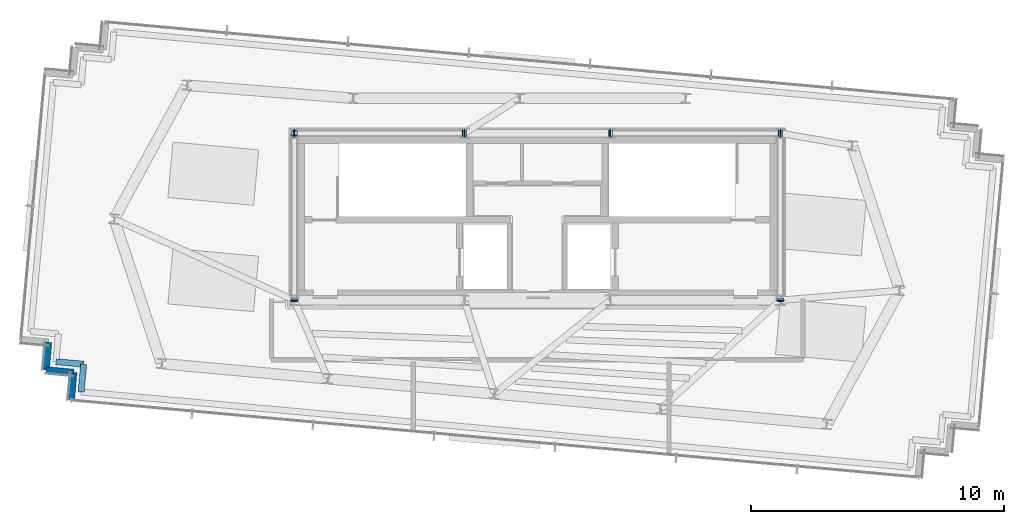
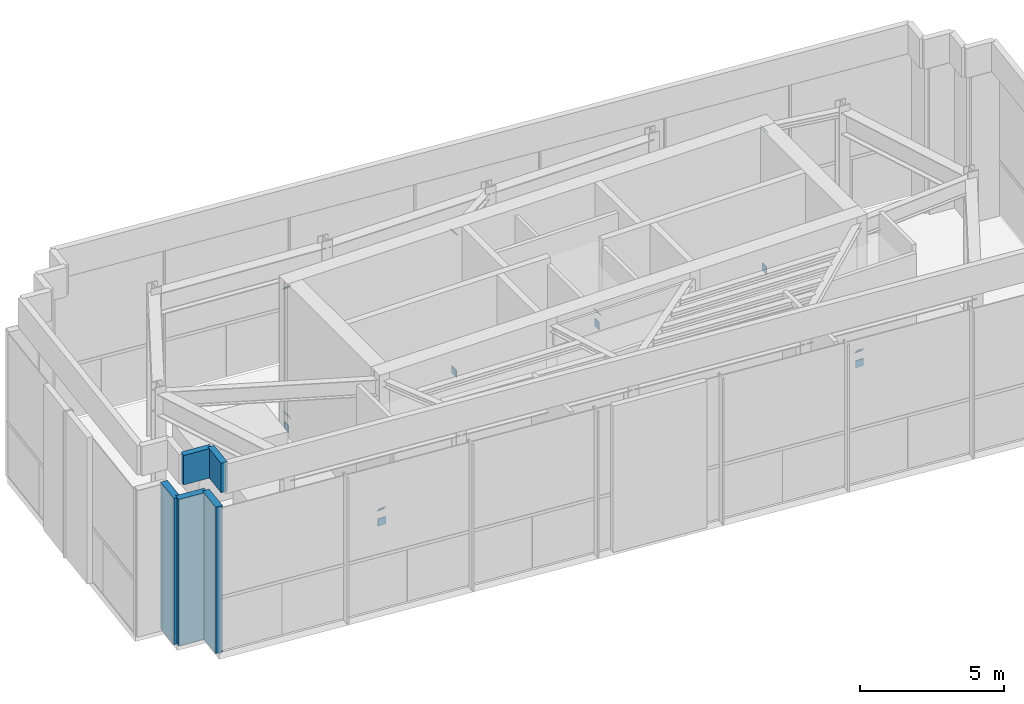
# One storey, part 15 of 18: 13 plates, 5 walls.
"""IFC4 building model written with IfcOpenShell, lengths in metres."""

import ifcopenshell
import ifcopenshell.guid

model = None  # the IFC model being written
_history = None  # IfcOwnerHistory: only IFC2X3 demands one
_inside = {}  # id of a spatial element -> (the spatial element, [elements in it])
_under = {}  # id of a project, library or spatial element -> (it, [spatial elements below it])
_declared = {}  # id of a project -> (the project, [libraries it declares])
_typed = {}  # id of a type object -> (the type object, [elements of that type])
_made_of = {}  # id of a material, layer set ... -> (it, [elements and type objects made of it])


def new_model(schema):
    """Start an empty IFC model of exactly this schema.

    Asked for "IFC4X3", IfcOpenShell would pick the latest addendum, in which some entities
    have other attributes; the version numbers below select the first issue.
    IFC2X3 requires an IfcOwnerHistory on every rooted entity: one is made here for all.
    """
    global model, _history
    if schema == "IFC4X3":
        model = ifcopenshell.file(schema_version=(4, 3, 0, 0))
    else:
        model = ifcopenshell.file(schema=schema)
    _inside.clear()
    _under.clear()
    _declared.clear()
    _typed.clear()
    _made_of.clear()
    _history = None
    if model.schema == "IFC2X3":
        org = make("IfcOrganization", Name="unknown")
        user = make(
            "IfcPersonAndOrganization",
            ThePerson=make("IfcPerson", FamilyName="unknown"),
            TheOrganization=org,
        )
        app = make(
            "IfcApplication",
            ApplicationDeveloper=org,
            Version="unknown",
            ApplicationFullName="unknown",
            ApplicationIdentifier="unknown",
        )
        _history = make(
            "IfcOwnerHistory",
            OwningUser=user,
            OwningApplication=app,
            ChangeAction="ADDED",
            CreationDate=0,
        )
    return model


def make(cls, **values):
    """One entity of the class cls with the attributes given. An attribute that is None is left unset."""
    return model.create_entity(
        cls, **{name: value for name, value in values.items() if value is not None}
    )


def rooted(cls, **values):
    """An entity with a GlobalId (a new one), such as an element, a storey or a relation."""
    return make(cls, GlobalId=ifcopenshell.guid.new(), OwnerHistory=_history, **values)


def si_unit(unit_type, name, prefix=None):
    """IfcSIUnit, for example si_unit("LENGTHUNIT", "METRE", prefix="MILLI")."""
    return make("IfcSIUnit", UnitType=unit_type, Prefix=prefix, Name=name)


def assignment(units):
    """IfcUnitAssignment: the units of a project."""
    return None if units is None else make("IfcUnitAssignment", Units=units)


def point(xyz):
    """IfcCartesianPoint."""
    return None if xyz is None else make("IfcCartesianPoint", Coordinates=xyz)


def direction(xyz):
    """IfcDirection."""
    return None if xyz is None else make("IfcDirection", DirectionRatios=xyz)


def frame(location, z_axis=None, x_axis=None):
    """IfcAxis2Placement3D, a coordinate frame: its origin and axes. An axis left out is left unset."""
    return make(
        "IfcAxis2Placement3D",
        Location=point(location),
        Axis=direction(z_axis),
        RefDirection=direction(x_axis),
    )


def frame_2d(location, x_axis=None):
    """IfcAxis2Placement2D, a coordinate frame in the plane: its origin and x axis."""
    return make(
        "IfcAxis2Placement2D", Location=point(location), RefDirection=direction(x_axis)
    )


def origin():
    """The frame at (0, 0, 0) with its axes left unset."""
    return frame((0.0, 0.0, 0.0))


def origin_2d():
    """The frame at (0, 0) in the plane with its x axis left unset."""
    return frame_2d((0.0, 0.0))


def place(relative_to, where):
    """IfcLocalPlacement: puts the frame where relative to a parent placement (None: the world)."""
    return make(
        "IfcLocalPlacement", PlacementRelTo=relative_to, RelativePlacement=where
    )


def context(
    kind, dimensions, precision=None, world=None, true_north=None, identifier=None
):
    """IfcGeometricRepresentationContext, for example the 3D "Model" context."""
    return make(
        "IfcGeometricRepresentationContext",
        ContextIdentifier=identifier,
        ContextType=kind,
        CoordinateSpaceDimension=dimensions,
        Precision=precision,
        WorldCoordinateSystem=world,
        TrueNorth=true_north,
    )


def subcontext(parent, identifier, kind, view, scale=None):
    """IfcGeometricRepresentationSubContext, for example "Body" below "Model"."""
    return make(
        "IfcGeometricRepresentationSubContext",
        ContextIdentifier=identifier,
        ContextType=kind,
        ParentContext=parent,
        TargetScale=scale,
        TargetView=view,
    )


def project(units=None, contexts=None):
    """IfcProject with its units and contexts."""
    return rooted(
        "IfcProject",
        Name="project",
        RepresentationContexts=contexts,
        UnitsInContext=assignment(units),
    )


def spatial(cls, under=None, at=None, **own):
    """A site, building, storey or space (cls), placed at a placement, below another one or the project."""
    s = rooted(cls, ObjectPlacement=at, **own)
    if under is not None:
        _under.setdefault(under.id(), (under, []))[1].append(s)
    return s


def profile(cls, at=None, kind="AREA", **sizes):
    """A parametric profile (cls). Its sizes go by their IFC names, for example OverallWidth=200.0."""
    return make(cls, ProfileType=kind, Position=at, **sizes)


def rectangle(**sizes):
    """IfcRectangleProfileDef."""
    return profile("IfcRectangleProfileDef", **sizes)


def extrude(swept, where, along, depth):
    """IfcExtrudedAreaSolid: the profile swept, set in the frame where, extruded along a direction by depth."""
    return make(
        "IfcExtrudedAreaSolid",
        SweptArea=swept,
        Position=where,
        ExtrudedDirection=direction(along),
        Depth=depth,
    )


def shape(context_of_items, identifier, shape_type, items):
    """IfcShapeRepresentation: the items that make up one representation, for example the "Body"."""
    return make(
        "IfcShapeRepresentation",
        ContextOfItems=context_of_items,
        RepresentationIdentifier=identifier,
        RepresentationType=shape_type,
        Items=items,
    )


def source(mapping_origin, context_of_items, identifier, shape_type, items):
    """IfcRepresentationMap: a shape defined once, which mapped items show again and again."""
    return make(
        "IfcRepresentationMap",
        MappingOrigin=mapping_origin,
        MappedRepresentation=shape(context_of_items, identifier, shape_type, items),
    )


def transform(
    local_origin,
    x_axis=None,
    y_axis=None,
    z_axis=None,
    scale=None,
    scale2=None,
    scale3=None,
    uniform=True,
):
    """IfcCartesianTransformationOperator3D, or its non-uniform kind. x_axis, y_axis, z_axis: its Axis1, 2, 3."""
    if uniform:
        return make(
            "IfcCartesianTransformationOperator3D",
            Axis1=direction(x_axis),
            Axis2=direction(y_axis),
            LocalOrigin=point(local_origin),
            Scale=scale,
            Axis3=direction(z_axis),
        )
    return make(
        "IfcCartesianTransformationOperator3DnonUniform",
        Axis1=direction(x_axis),
        Axis2=direction(y_axis),
        LocalOrigin=point(local_origin),
        Scale=scale,
        Axis3=direction(z_axis),
        Scale2=scale2,
        Scale3=scale3,
    )


def mapped(mapping_source, mapping_target):
    """IfcMappedItem: shows the shape of a source again, moved by a transform."""
    return make(
        "IfcMappedItem", MappingSource=mapping_source, MappingTarget=mapping_target
    )


def material(Name=None, Category=None):
    """IfcMaterial."""
    return make("IfcMaterial", Name=Name, Category=Category)


def layer(
    of_material, thickness, ventilated=None, Name=None, Category=None, Priority=None
):
    """IfcMaterialLayer: one layer of a wall or slab, of a material (None: an air gap)."""
    return make(
        "IfcMaterialLayer",
        Material=of_material,
        LayerThickness=thickness,
        IsVentilated=ventilated,
        Name=Name,
        Category=Category,
        Priority=Priority,
    )


def layer_set(layers, Name=None):
    """IfcMaterialLayerSet."""
    return make("IfcMaterialLayerSet", MaterialLayers=layers, LayerSetName=Name)


def made_of(thing, what):
    """Note that an element or type object is made of a material, layer set ...; save() writes the relation."""
    if what is not None:
        _made_of.setdefault(what.id(), (what, []))[1].append(thing)
    return thing


def type_object(cls, material=None, **own):
    """A type object (cls), such as IfcWallType, which elements share."""
    return made_of(rooted(cls, **own), material)


def type_shapes(of_type, sources):
    """Give a type object the sources (RepresentationMaps) that its elements show as mapped items."""
    of_type.RepresentationMaps = sources


def element(
    cls,
    number,
    at=None,
    inside=None,
    cuts=None,
    type_object=None,
    material=None,
    context=None,
    identifier="Body",
    shape_type=None,
    held_by="IfcProductDefinitionShape",
    body=None,
    shapes=None,
    **own,
):
    """One element of the class cls, such as IfcWall. Its Tag is "e" and its number.

    at: its placement. inside: the storey or other place that contains it. cuts: it is an
    opening in that element (IfcRelVoidsElement). A single representation is given by context,
    identifier, shape_type and body (its items); several are given by shapes. held_by: the class
    of the entity that holds the representations. save() writes the other relations.
    """
    e = rooted(cls, Tag="e%d" % number, ObjectPlacement=at, **own)
    if body is not None:
        shapes = [shape(context, identifier, shape_type, body)]
    if shapes is not None:
        e.Representation = make(held_by, Representations=shapes)
    if inside is not None:
        _inside.setdefault(inside.id(), (inside, []))[1].append(e)
    if cuts is not None:
        rooted(
            "IfcRelVoidsElement", RelatingBuildingElement=cuts, RelatedOpeningElement=e
        )
    if type_object is not None:
        _typed.setdefault(type_object.id(), (type_object, []))[1].append(e)
    return made_of(e, material)


def aggregate(whole, parts):
    """IfcRelAggregates: a whole, such as a stair, and the parts it consists of."""
    return rooted("IfcRelAggregates", RelatingObject=whole, RelatedObjects=parts)


def save(model, path):
    """Write the relations noted so far, then the file.

    IfcRelAggregates (storeys below a building ...), IfcRelContainedInSpatialStructure (elements
    in a storey), IfcRelDefinesByType, IfcRelAssociatesMaterial and IfcRelDeclares: one each for
    every whole, place, type object, material and project.
    """
    for whole, parts in _under.values():
        aggregate(whole, parts)
    for where, things in _inside.values():
        rooted(
            "IfcRelContainedInSpatialStructure",
            RelatedElements=things,
            RelatingStructure=where,
        )
    for kind, things in _typed.values():
        rooted("IfcRelDefinesByType", RelatedObjects=things, RelatingType=kind)
    for what, things in _made_of.values():
        rooted("IfcRelAssociatesMaterial", RelatedObjects=things, RelatingMaterial=what)
    for by, libraries in _declared.values():
        rooted("IfcRelDeclares", RelatingContext=by, RelatedDefinitions=libraries)
    model.write(path)


model = new_model("IFC4")

# Units and contexts
model_context = context("Model", 3, precision=1e-05, world=origin(), true_north=direction((0.0, 1.0)))
body_context = subcontext(model_context, "Body", "Model", "MODEL_VIEW")
ifc_project = project(units=[si_unit("LENGTHUNIT", "METRE"), si_unit("AREAUNIT", "SQUARE_METRE"), si_unit("VOLUMEUNIT", "CUBIC_METRE"), si_unit("PLANEANGLEUNIT", "RADIAN"), si_unit("MASSUNIT", "GRAM", prefix="KILO")], contexts=[model_context])

# Site, building, storey
site_placement = place(None, origin())
site = spatial("IfcSite", under=ifc_project, at=site_placement, CompositionType="ELEMENT")
building_placement = place(site_placement, origin())
building = spatial("IfcBuilding", under=site, at=building_placement, Name="Astriad Promenade Condominiums", CompositionType="ELEMENT")
storey_placement = place(building_placement, frame((0.0, 0.0, 290.300048828125)))
storey = spatial("IfcBuildingStorey", under=building, at=storey_placement, Name="L80", CompositionType="ELEMENT", Elevation=290.300048828125)

# Plates
ifc_material_1 = material(Name="Steel ASTM A572 Grade 50", Category="steel")
ifc_layer_1 = layer(ifc_material_1, 0.02490234375)
ifc_layer_set_1 = layer_set([ifc_layer_1], Name="Steel ASTM A572 Grade 50")
plate_type = type_object("IfcPlateType", Name="STEEL HOLLOW SECTION END CAP PLATE 30", PredefinedType="USERDEFINED", material=ifc_layer_set_1)
shared_shape_1 = source(origin(), body_context, "Body", "SweptSolid", [
    extrude(rectangle(XDim=0.31298828125, YDim=0.31298828125, at=origin_2d()), origin(), (0.0, 0.0, 1.0), 0.02490234375),
])
for number, where, z_axis, x_axis, name in (
    (1, (26.380126953125, 24.0, 0.119873046875), (1.0, 0.0, 0.0), (0.0, 1.0, 0.0), "Hollow Section End Cap Plate HCHORD-L80-01-A"),
    (2, (33.114990234375, 24.0, 0.119873046875), (1.0, 0.0, 0.0), (0.0, 1.0, 0.0), "Hollow Section End Cap Plate HCHORD-L80-01-B"),
    (3, (38.860107421875, 24.0, 0.119873046875), (1.0, 0.0, 0.0), (0.0, 1.0, 0.0), "Hollow Section End Cap Plate HCHORD-L80-02-A"),
    (4, (45.594970703125, 24.0, 0.119873046875), (1.0, 0.0, 0.0), (0.0, 1.0, 0.0), "Hollow Section End Cap Plate HCHORD-L80-02-B"),
    (5, (26.39990234375, 17.380126953125, 0.119873046875), (0.0, 1.0, 0.0), (-1.0, 0.0, 0.0), "Hollow Section End Cap Plate HCHORD-L80-03-A"),
    (6, (45.60009765625, 17.380126953125, 0.119873046875), (0.0, 1.0, 0.0), (-1.0, 0.0, 0.0), "Hollow Section End Cap Plate HCHORD-L80-04-A"),
):
    element("IfcPlate", number, at=place(storey_placement, frame(where, z_axis=z_axis, x_axis=x_axis)), inside=storey, type_object=plate_type, Name=name, ObjectType="STIFFENER_PLATE", PredefinedType="USERDEFINED", context=body_context, shape_type="MappedRepresentation", body=[
        mapped(shared_shape_1, transform((0.0, 0.0, 0.0), scale=1.0)),
    ])
shared_shape_2 = source(origin(), body_context, "Body", "SweptSolid", [
    extrude(rectangle(XDim=0.2431640625, YDim=0.2431640625, at=origin_2d()), origin(), (0.0, 0.0, 1.0), 0.02490234375),
])
type_shapes(plate_type, [shared_shape_1, shared_shape_2])
for number, where, z_axis, x_axis, name in (
    (7, (26.39990234375, 24.0, 0.619873046875), (0.776675511191, 0.0, 0.629900905155), (0.0, 1.0, 0.0), "Hollow Section End Cap Plate HBRACE-L80-01-A"),
    (8, (33.1005859375, 24.0, 6.054443359375), (0.776675511191, 0.0, 0.629900905155), (0.0, 1.0, 0.0), "Hollow Section End Cap Plate HBRACE-L80-01-B"),
    (9, (38.8798828125, 24.0, 0.619873046875), (0.776675511191, 0.0, 0.629900905155), (0.0, 1.0, 0.0), "Hollow Section End Cap Plate HBRACE-L80-02-A"),
    (10, (45.58056640625, 24.0, 6.054443359375), (0.776675511191, 0.0, 0.629900905155), (0.0, 1.0, 0.0), "Hollow Section End Cap Plate HBRACE-L80-02-B"),
    (11, (26.39990234375, 17.400146484375, 0.6201171875), (0.0, 0.771082160614, 0.636735660681), (-1.0, 0.0, 0.0), "Hollow Section End Cap Plate HBRACE-L80-03-A"),
    (12, (26.39990234375, 23.980712890625, 6.05419921875), (0.0, 0.771082160614, 0.636735660681), (-1.0, 0.0, 0.0), "Hollow Section End Cap Plate HBRACE-L80-03-B"),
    (13, (45.60009765625, 17.400146484375, 0.6201171875), (0.0, 0.771082160614, 0.636735660681), (-1.0, 0.0, 0.0), "Hollow Section End Cap Plate HBRACE-L80-04-A"),
):
    element("IfcPlate", number, at=place(storey_placement, frame(where, z_axis=z_axis, x_axis=x_axis)), inside=storey, type_object=plate_type, Name=name, ObjectType="STIFFENER_PLATE", PredefinedType="USERDEFINED", context=body_context, shape_type="MappedRepresentation", body=[
        mapped(shared_shape_2, transform((0.0, 0.0, 0.0), scale=1.0)),
    ])

# Walls
ifc_material_2 = material(Name="Precast concrete C50/60", Category="concrete")
ifc_layer_2 = layer(ifc_material_2, 0.260009765625)
ifc_layer_set_2 = layer_set([ifc_layer_2], Name="Precast concrete C50/60")
wall_type_1 = type_object("IfcWallType", Name="WALL-EXT-TWR-260", PredefinedType="STANDARD", material=ifc_layer_set_2)
wall_1_placement = place(storey_placement, frame((17.689208984375, 14.549072265625, 0.0), z_axis=(0.0, 0.0, 1.0), x_axis=(-0.995893206468, 0.090535746043, 0.0)))
element("IfcWall", 14, at=wall_1_placement, inside=storey, type_object=wall_type_1, Name="W-CRN-L80-00", PredefinedType="STANDARD", context=body_context, shape_type="SweptSolid", body=[
    extrude(rectangle(XDim=1.100341796875, YDim=0.260009765625, at=frame_2d((0.55029296875, 0.0))), origin(), (0.0, 0.0, 1.0), 6.219970703125),
])
for number, where, z_axis, x_axis, name in (
    (15, (16.593505859375, 14.648681640625, 0.0), (0.0, 0.0, 1.0), (0.09077588162, 0.995871346769, 0.0), "W-CRN-L80-01"),
    (16, (17.58935546875, 13.45361328125, 0.0), (0.0, 0.0, 1.0), (0.09077588162, 0.995871346769, 0.0), "W-CRN-L80-19"),
):
    element("IfcWall", number, at=place(storey_placement, frame(where, z_axis=z_axis, x_axis=x_axis)), inside=storey, type_object=wall_type_1, Name=name, PredefinedType="STANDARD", context=body_context, shape_type="SweptSolid", body=[
        extrude(rectangle(XDim=1.10009765625, YDim=0.260009765625, at=frame_2d((0.550048828125, 0.0))), origin(), (0.0, 0.0, 1.0), 6.219970703125),
    ])
ifc_material_3 = material(Name="Precast concrete C45/55", Category="concrete")
ifc_layer_3 = layer(ifc_material_3, 0.239990234375)
ifc_layer_set_3 = layer_set([ifc_layer_3], Name="Precast concrete C45/55")
wall_type_2 = type_object("IfcWallType", Name="WALL-PARAPET-240", PredefinedType="PARAPET", material=ifc_layer_set_3)
wall_2_placement = place(storey_placement, frame((18.080078125, 14.875, 6.5), z_axis=(0.0, 0.0, 1.0), x_axis=(-0.995891387001, 0.090555757944, 0.0)))
element("IfcWall", 17, at=wall_2_placement, inside=storey, type_object=wall_type_2, Name="W-PAR-ROOF-00", PredefinedType="PARAPET", context=body_context, shape_type="SweptSolid", body=[
    extrude(rectangle(XDim=1.10009765625, YDim=0.239990234375, at=frame_2d((0.550048828125, 0.0))), origin(), (0.0, 0.0, 1.0), 1.25),
])
wall_3_placement = place(storey_placement, frame((17.98046875, 13.779296875, 6.5), z_axis=(0.0, 0.0, 1.0), x_axis=(0.090535746043, 0.995893206468, 0.0)))
element("IfcWall", 18, at=wall_3_placement, inside=storey, type_object=wall_type_2, Name="W-PAR-ROOF-19", PredefinedType="PARAPET", context=body_context, shape_type="SweptSolid", body=[
    extrude(rectangle(XDim=1.100341796875, YDim=0.239990234375, at=frame_2d((0.55029296875, 0.0))), origin(), (0.0, 0.0, 1.0), 1.25),
])

save(model, "model.ifc")
